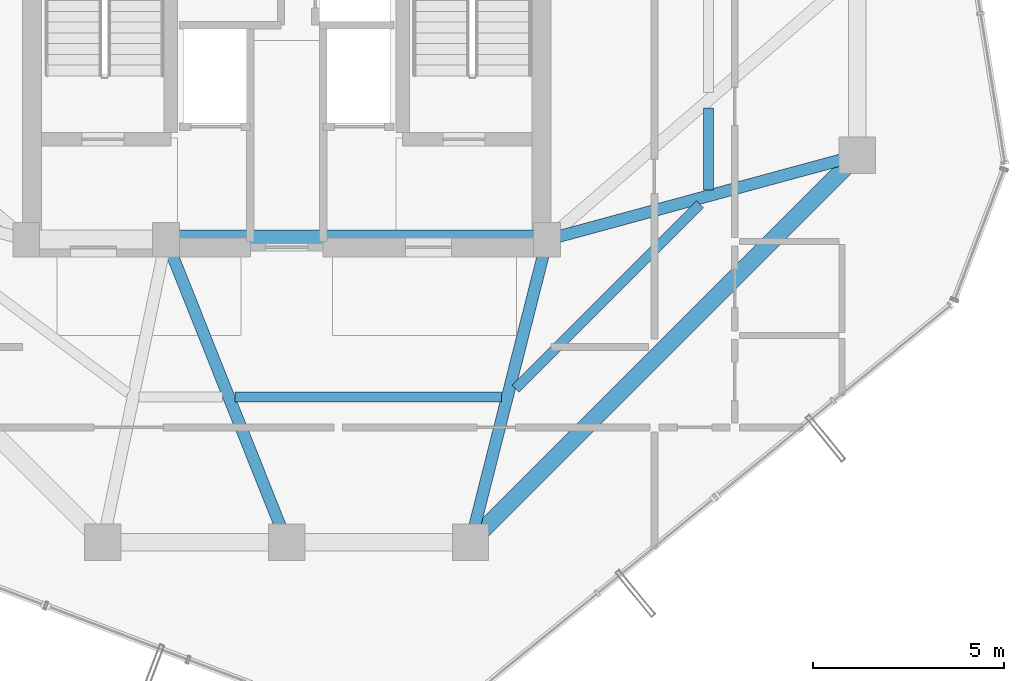
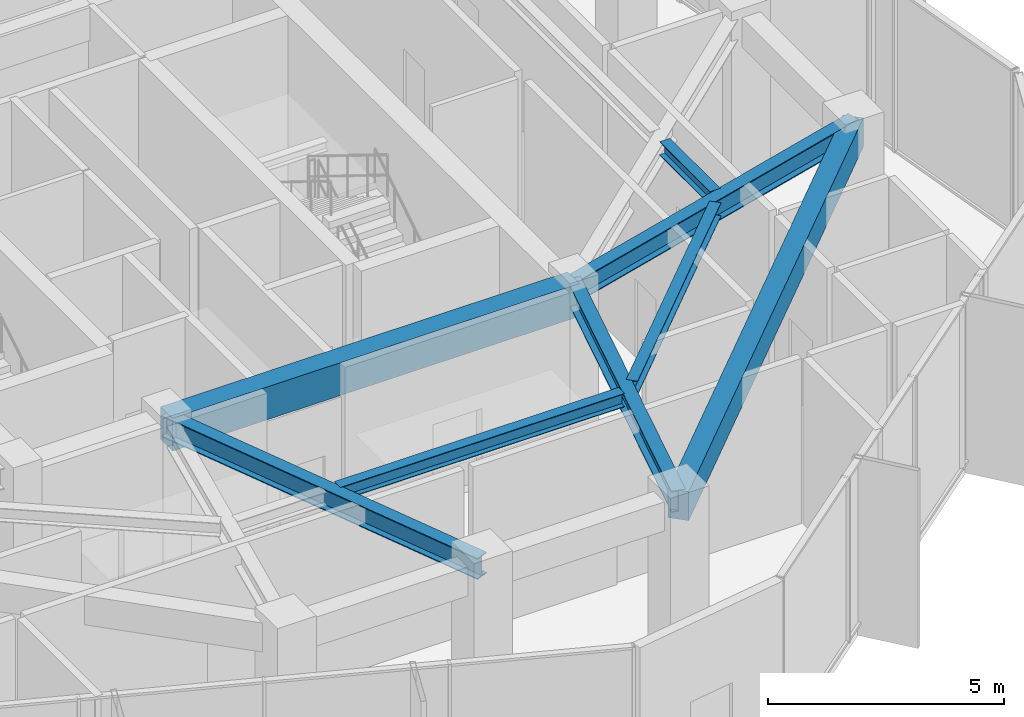
# One storey, part 6 of 22: 8 beams.
"""IFC4 building model written with IfcOpenShell, lengths in metres."""

from ifc_helpers import new_model, si_unit, direction, frame, origin, origin_2d, place, context, subcontext, project, spatial, rectangle, i_section, extrude, material, material_profile, profile_set, type_object, element, save


model = new_model("IFC4")

# Units and contexts
model_context = context("Model", 3, precision=1e-05, world=origin(), true_north=direction((0.0, 1.0)))
body_context = subcontext(model_context, "Body", "Model", "MODEL_VIEW")
ifc_project = project(units=[si_unit("LENGTHUNIT", "METRE"), si_unit("AREAUNIT", "SQUARE_METRE"), si_unit("VOLUMEUNIT", "CUBIC_METRE"), si_unit("PLANEANGLEUNIT", "RADIAN"), si_unit("MASSUNIT", "GRAM", prefix="KILO")], contexts=[model_context])

# Site, building, storey
site_placement = place(None, origin())
site = spatial("IfcSite", under=ifc_project, at=site_placement, CompositionType="ELEMENT")
building_placement = place(site_placement, origin())
building = spatial("IfcBuilding", under=site, at=building_placement, Name="Veraguas Prism Commons", CompositionType="ELEMENT")
storey_placement = place(building_placement, frame((0.0, 0.0, 174.35009765625)))
storey = spatial("IfcBuildingStorey", under=building, at=storey_placement, Name="L49", CompositionType="ELEMENT", Elevation=174.35009765625)

# Beams
ifc_material_1 = material(Name="Concrete C50/60", Category="concrete")
ifc_material_profile_1 = material_profile(ifc_material_1, rectangle(XDim=0.5, YDim=0.85009765625, at=origin_2d()), Name="RC500X850")
ifc_profile_set_1 = profile_set([ifc_material_profile_1], Name="Concrete C50/60")
beam_type_1 = type_object("IfcBeamType", Name="Core Coupling Beam RC 500x850", PredefinedType="BEAM", material=ifc_profile_set_1)
beam_1_placement = place(storey_placement, frame((20.85009765625, 17.0, 3.83984375), z_axis=(1.0, 0.0, 0.0), x_axis=(0.0, 1.0, 0.0)))
element("IfcBeam", 1, at=beam_1_placement, inside=storey, type_object=beam_type_1, Name="Core Coupling Beam L49-CRS2", PredefinedType="BEAM", context=body_context, shape_type="SweptSolid", body=[
    extrude(rectangle(XDim=0.5, YDim=0.85009765625, at=origin_2d()), origin(), (0.0, 0.0, 1.0), 9.949951171875),
])
ifc_material_profile_2 = material_profile(ifc_material_1, rectangle(XDim=0.449951171875, YDim=0.75, at=origin_2d()), Name="RC450X750")
ifc_profile_set_2 = profile_set([ifc_material_profile_2], Name="Concrete C50/60")
beam_type_2 = type_object("IfcBeamType", Name="Perimeter Spandrel Upper RC 450x750", PredefinedType="SPANDREL", material=ifc_profile_set_2)
beam_2_placement = place(storey_placement, frame((28.800048828125, 9.10009765625, 3.889892578125), z_axis=(0.707106781187, 0.707106781187, 0.0), x_axis=(-0.707106781187, 0.707106781187, 0.0)))
element("IfcBeam", 2, at=beam_2_placement, inside=storey, type_object=beam_type_2, Name="Perimeter Spandrel Beam L49-SP12", PredefinedType="SPANDREL", context=body_context, shape_type="SweptSolid", body=[
    extrude(rectangle(XDim=0.449951171875, YDim=0.75, at=origin_2d()), origin(), (0.0, 0.0, 1.0), 14.283447265625),
])
ifc_material_2 = material(Name="Steel ASTM A992 Grade 50", Category="steel")
ifc_material_profile_3 = material_profile(ifc_material_2, i_section(OverallWidth=0.25390625, OverallDepth=0.35302734375, WebThickness=0.009521484375, FlangeThickness=0.016357421875, at=origin_2d()), Name="W360X91")
ifc_profile_set_3 = profile_set([ifc_material_profile_3], Name="Steel ASTM A992 Grade 50")
beam_type_3 = type_object("IfcBeamType", Name="Upper Floor Joist W360x91", PredefinedType="JOIST", material=ifc_profile_set_3)
beam_3_placement = place(storey_placement, frame((35.011962890625, 18.302978515625, 4.08837890625), z_axis=(0.0, 1.0, 0.0), x_axis=(-1.0, 0.0, 0.0)))
element("IfcBeam", 3, at=beam_3_placement, inside=storey, type_object=beam_type_3, Name="Composite Floor Joist L49-JS01", PredefinedType="JOIST", context=body_context, shape_type="SweptSolid", body=[
    extrude(i_section(OverallWidth=0.25390625, OverallDepth=0.35302734375, WebThickness=0.009521484375, FlangeThickness=0.016357421875, at=origin_2d()), origin(), (0.0, 0.0, 1.0), 2.134033203125),
])
beam_4_placement = place(storey_placement, frame((22.6533203125, 12.89208984375, 4.08837890625), z_axis=(1.0, 0.0, 0.0), x_axis=(0.0, 1.0, 0.0)))
element("IfcBeam", 4, at=beam_4_placement, inside=storey, type_object=beam_type_3, Name="Composite Floor Joist L49-JS11", PredefinedType="JOIST", context=body_context, shape_type="SweptSolid", body=[
    extrude(i_section(OverallWidth=0.25390625, OverallDepth=0.35302734375, WebThickness=0.009521484375, FlangeThickness=0.016357421875, at=origin_2d()), origin(), (0.0, 0.0, 1.0), 6.948486328125),
])
beam_5_placement = place(storey_placement, frame((29.971923828125, 13.10400390625, 4.08837890625), z_axis=(0.707124682851, 0.707088879069, 0.0), x_axis=(-0.707088879069, 0.707124682851, 0.0)))
element("IfcBeam", 5, at=beam_5_placement, inside=storey, type_object=beam_type_3, Name="Composite Floor Joist L49-JS12", PredefinedType="JOIST", context=body_context, shape_type="SweptSolid", body=[
    extrude(i_section(OverallWidth=0.25390625, OverallDepth=0.35302734375, WebThickness=0.009521484375, FlangeThickness=0.016357421875, at=origin_2d()), origin(), (0.0, 0.0, 1.0), 6.81884765625),
])
ifc_material_profile_4 = material_profile(ifc_material_2, i_section(OverallWidth=0.31103515625, OverallDepth=0.5458984375, WebThickness=0.0146484375, FlangeThickness=0.023681640625, at=origin_2d()), Name="W530X165")
ifc_profile_set_4 = profile_set([ifc_material_profile_4], Name="Steel ASTM A992 Grade 50")
beam_type_4 = type_object("IfcBeamType", Name="Zone 3 Radial Girder W530x165", PredefinedType="BEAM", material=ifc_profile_set_4)
beam_6_placement = place(storey_placement, frame((38.89990234375, 19.199951171875, 3.991943359375), z_axis=(-0.965038506703, -0.262108146725, 0.0), x_axis=(0.262108146725, -0.965038506703, 0.0)))
element("IfcBeam", 6, at=beam_6_placement, inside=storey, type_object=beam_type_4, Name="Radial Floor Girder L49-RD01", PredefinedType="BEAM", context=body_context, shape_type="SweptSolid", body=[
    extrude(i_section(OverallWidth=0.31103515625, OverallDepth=0.5458984375, WebThickness=0.0146484375, FlangeThickness=0.023681640625, at=origin_2d()), origin(), (0.0, 0.0, 1.0), 8.393310546875),
])
beam_7_placement = place(storey_placement, frame((24.0, 9.10009765625, 3.991943359375), z_axis=(-0.370370877803, 0.928883960931, 0.0), x_axis=(-0.928883960931, -0.370370877803, 0.0)))
element("IfcBeam", 7, at=beam_7_placement, inside=storey, type_object=beam_type_4, Name="Radial Floor Girder L49-RD11", PredefinedType="BEAM", context=body_context, shape_type="SweptSolid", body=[
    extrude(i_section(OverallWidth=0.31103515625, OverallDepth=0.5458984375, WebThickness=0.0146484375, FlangeThickness=0.023681640625, at=origin_2d()), origin(), (0.0, 0.0, 1.0), 8.504638671875),
])
beam_8_placement = place(storey_placement, frame((28.800048828125, 9.10009765625, 3.991943359375), z_axis=(0.245424718066, 0.969415652732, 0.0), x_axis=(-0.969415652732, 0.245424718066, 0.0)))
element("IfcBeam", 8, at=beam_8_placement, inside=storey, type_object=beam_type_4, Name="Radial Floor Girder L49-RD12", PredefinedType="BEAM", context=body_context, shape_type="SweptSolid", body=[
    extrude(i_section(OverallWidth=0.31103515625, OverallDepth=0.5458984375, WebThickness=0.0146484375, FlangeThickness=0.023681640625, at=origin_2d()), origin(), (0.0, 0.0, 1.0), 8.149169921875),
])

save(model, "model.ifc")
